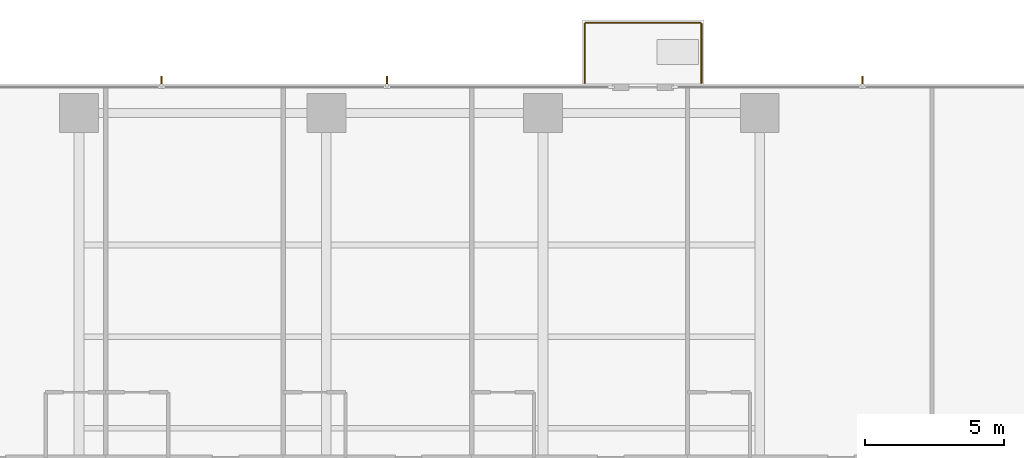
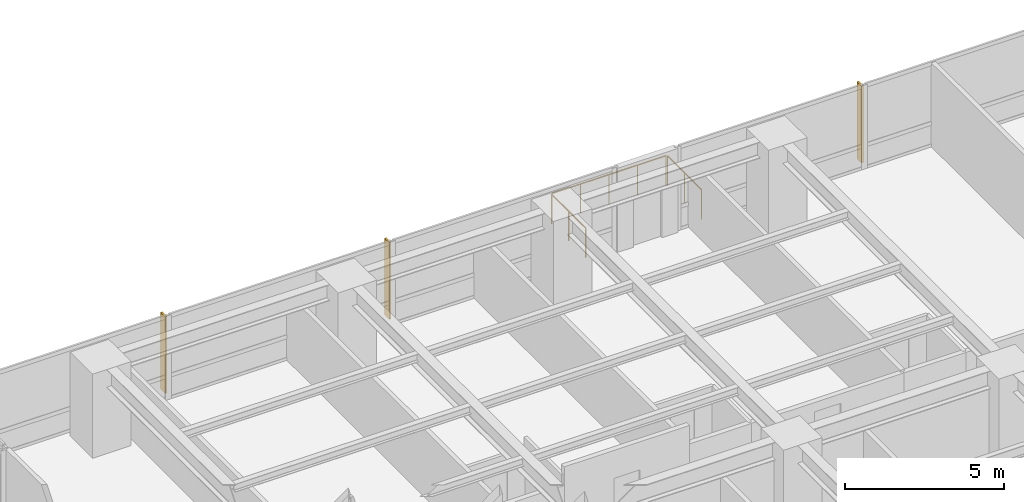
# One storey, part 17 of 17: 3 railings, 3 shading devices.
"""IFC4 building model written with IfcOpenShell, lengths in metres."""

from ifc_helpers import new_model, si_unit, direction, frame, origin, origin_2d, place, context, subcontext, project, spatial, polyline, circle, outline, extrude, material, layer, layer_set, type_object, element, save


model = new_model("IFC4")

# Units and contexts
model_context = context("Model", 3, precision=1e-05, world=origin(), true_north=direction((0.0, 1.0)))
body_context = subcontext(model_context, "Body", "Model", "MODEL_VIEW")
ifc_project = project(units=[si_unit("LENGTHUNIT", "METRE"), si_unit("AREAUNIT", "SQUARE_METRE"), si_unit("VOLUMEUNIT", "CUBIC_METRE"), si_unit("PLANEANGLEUNIT", "RADIAN"), si_unit("MASSUNIT", "GRAM", prefix="KILO")], contexts=[model_context])

# Site, building, storey
site_placement = place(None, origin())
site = spatial("IfcSite", under=ifc_project, at=site_placement, CompositionType="ELEMENT")
building_placement = place(site_placement, origin())
building = spatial("IfcBuilding", under=site, at=building_placement, Name="Qalmaran Belvedere Hotel", CompositionType="ELEMENT")
storey_placement = place(building_placement, frame((0.0, 0.0, 40.39990234375)))
storey = spatial("IfcBuildingStorey", under=building, at=storey_placement, Name="L09", CompositionType="ELEMENT", Elevation=40.39990234375)

# Shading devices
ifc_material = material(Name="Anodised Bronze Aluminium", Category="aluminium")
ifc_layer = layer(ifc_material, 0.06494140625, Name="Anodised Bronze Aluminium")
ifc_layer_set = layer_set([ifc_layer], Name="Anodised Bronze Aluminium")
shading_device_type = type_object("IfcShadingDeviceType", Name="FIN-BRNZ-300", PredefinedType="USERDEFINED", material=ifc_layer_set)
shading_device_1_placement = place(storey_placement, frame((0.0, 0.0, 0.16015625)))
element("IfcShadingDevice", 1, at=shading_device_1_placement, inside=storey, type_object=shading_device_type, Name="L09 Bronze Fin 1", ObjectType="FIN", PredefinedType="USERDEFINED", context=body_context, shape_type="SweptSolid", body=[
    extrude(outline(polyline([(31.415771484375, 48.472412109375), (31.415771484375, 48.7724609375), (31.350830078125, 48.7724609375), (31.350830078125, 48.472412109375), (31.415771484375, 48.472412109375)])), origin(), (0.0, 0.0, 1.0), 2.93994140625),
])
shading_device_2_placement = place(storey_placement, frame((0.0, 0.0, 0.16015625)))
element("IfcShadingDevice", 2, at=shading_device_2_placement, inside=storey, type_object=shading_device_type, Name="L09 Bronze Fin 2", ObjectType="FIN", PredefinedType="USERDEFINED", context=body_context, shape_type="SweptSolid", body=[
    extrude(outline(polyline([(23.29931640625, 48.472412109375), (23.29931640625, 48.7724609375), (23.234130859375, 48.7724609375), (23.234130859375, 48.472412109375), (23.29931640625, 48.472412109375)])), origin(), (0.0, 0.0, 1.0), 2.93994140625),
])
shading_device_3_placement = place(storey_placement, frame((0.0, 0.0, 0.16015625)))
element("IfcShadingDevice", 3, at=shading_device_3_placement, inside=storey, type_object=shading_device_type, Name="L09 Bronze Fin 1", ObjectType="FIN", PredefinedType="USERDEFINED", context=body_context, shape_type="SweptSolid", body=[
    extrude(outline(polyline([(48.532470703125, 48.472412109375), (48.532470703125, 48.7724609375), (48.467529296875, 48.7724609375), (48.467529296875, 48.472412109375), (48.532470703125, 48.472412109375)])), origin(), (0.0, 0.0, 1.0), 2.93994140625),
])

# Railings
railing_type = type_object("IfcRailingType", Name="GRD-BAL-1150", PredefinedType="BALUSTRADE", material=ifc_material)
railing_1_placement = place(storey_placement, frame((38.5, 48.534912109375, 0.0)))
element("IfcRailing", 4, at=railing_1_placement, inside=storey, type_object=railing_type, Name="L09 Guardrail BAL-L09-N-1", PredefinedType="BALUSTRADE", context=body_context, shape_type="SweptSolid", body=[
    extrude(circle(Radius=0.02392578125, at=origin_2d()), frame((0.0, 0.0, 1.1259765625), z_axis=(0.0, 1.0, 0.0), x_axis=(-1.0, 0.0, 0.0)), (0.0, 0.0, 1.0), 2.130126953125),
    extrude(circle(Radius=0.02099609375, at=origin_2d()), origin(), (0.0, 0.0, 1.0), 1.101806640625),
    extrude(circle(Radius=0.02099609375, at=origin_2d()), frame((0.0, 1.06494140625, 0.0)), (0.0, 0.0, 1.0), 1.101806640625),
    extrude(circle(Radius=0.02099609375, at=origin_2d()), frame((0.0, 2.130126953125, 0.0)), (0.0, 0.0, 1.0), 1.101806640625),
])
railing_2_placement = place(storey_placement, frame((38.534912109375, 50.699951171875, 0.0)))
element("IfcRailing", 5, at=railing_2_placement, inside=storey, type_object=railing_type, Name="L09 Guardrail BAL-L09-N-2", PredefinedType="BALUSTRADE", context=body_context, shape_type="SweptSolid", body=[
    extrude(circle(Radius=0.02392578125, at=origin_2d()), frame((0.0, 0.0, 1.1259765625), z_axis=(1.0, 0.0, 0.0), x_axis=(0.0, 1.0, 0.0)), (0.0, 0.0, 1.0), 4.130126953125),
    extrude(circle(Radius=0.02099609375, at=origin_2d()), origin(), (0.0, 0.0, 1.0), 1.101806640625),
    extrude(circle(Radius=0.02099609375, at=origin_2d()), frame((1.032470703125, 0.0, 0.0)), (0.0, 0.0, 1.0), 1.101806640625),
    extrude(circle(Radius=0.02099609375, at=origin_2d()), frame((2.06494140625, 0.0, 0.0)), (0.0, 0.0, 1.0), 1.101806640625),
    extrude(circle(Radius=0.02099609375, at=origin_2d()), frame((3.09765625, 0.0, 0.0)), (0.0, 0.0, 1.0), 1.101806640625),
    extrude(circle(Radius=0.02099609375, at=origin_2d()), frame((4.130126953125, 0.0, 0.0)), (0.0, 0.0, 1.0), 1.101806640625),
])
railing_3_placement = place(storey_placement, frame((42.699951171875, 50.6650390625, 0.0)))
element("IfcRailing", 6, at=railing_3_placement, inside=storey, type_object=railing_type, Name="L09 Guardrail BAL-L09-N-3", PredefinedType="BALUSTRADE", context=body_context, shape_type="SweptSolid", body=[
    extrude(circle(Radius=0.02392578125, at=origin_2d()), frame((0.0, 0.0, 1.1259765625), z_axis=(0.0, -1.0, 0.0), x_axis=(1.0, 0.0, 0.0)), (0.0, 0.0, 1.0), 2.130126953125),
    extrude(circle(Radius=0.02099609375, at=origin_2d()), origin(), (0.0, 0.0, 1.0), 1.101806640625),
    extrude(circle(Radius=0.02099609375, at=origin_2d()), frame((0.0, -1.06494140625, 0.0)), (0.0, 0.0, 1.0), 1.101806640625),
    extrude(circle(Radius=0.02099609375, at=origin_2d()), frame((0.0, -2.130126953125, 0.0)), (0.0, 0.0, 1.0), 1.101806640625),
])

save(model, "model.ifc")
